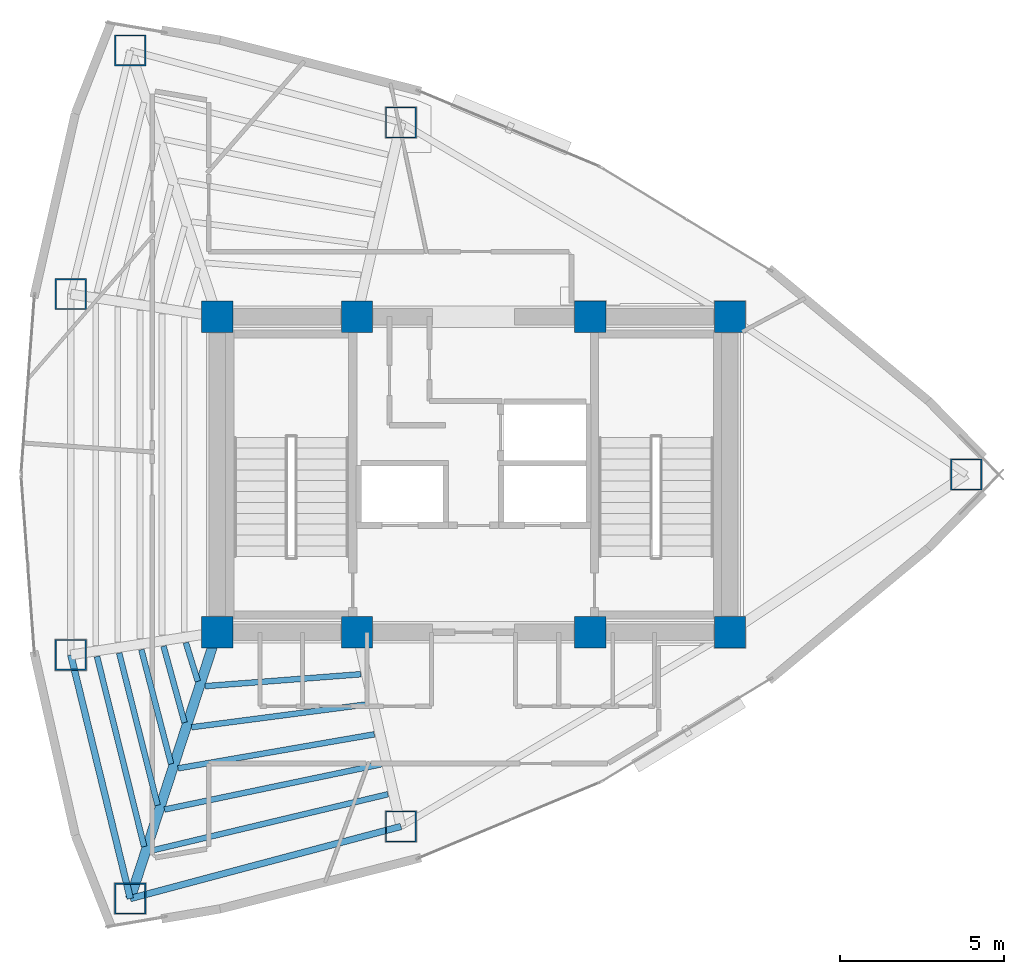
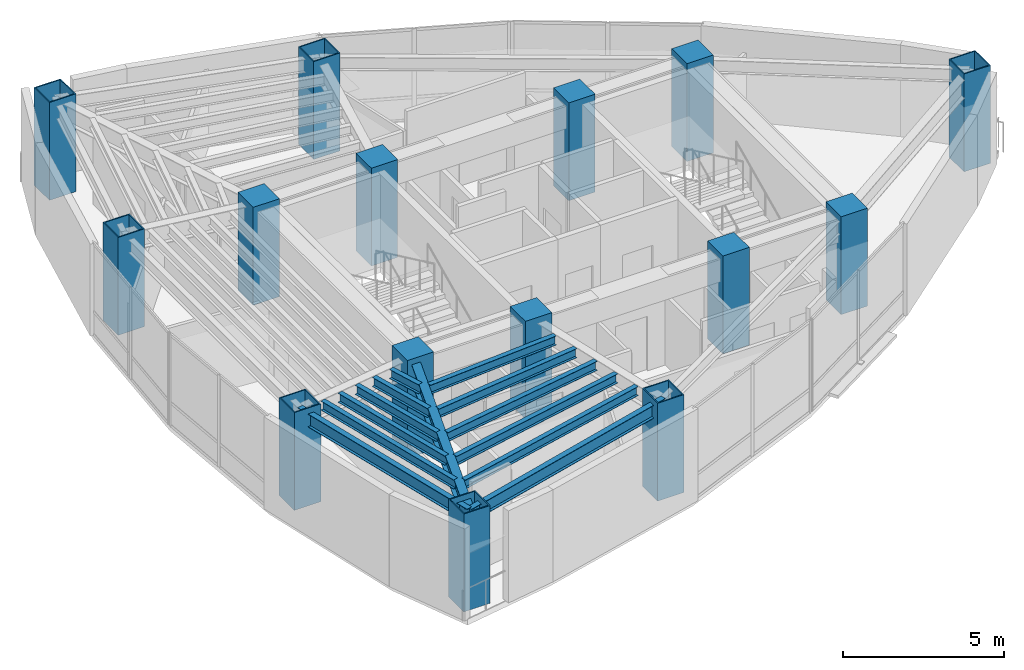
# One storey, part 1 of 15: 15 columns, 13 beams.
"""IFC4 building model written with IfcOpenShell, lengths in metres."""

from ifc_helpers import new_model, si_unit, direction, frame, origin, origin_2d, place, context, subcontext, project, spatial, rectangle, hollow_rectangle, i_section, extrude, material, material_profile, profile_set, type_object, element, save


model = new_model("IFC4")

# Units and contexts
model_context = context("Model", 3, precision=1e-05, world=origin(), true_north=direction((0.0, 1.0)))
body_context = subcontext(model_context, "Body", "Model", "MODEL_VIEW")
ifc_project = project(units=[si_unit("LENGTHUNIT", "METRE"), si_unit("AREAUNIT", "SQUARE_METRE"), si_unit("VOLUMEUNIT", "CUBIC_METRE"), si_unit("PLANEANGLEUNIT", "RADIAN"), si_unit("MASSUNIT", "GRAM", prefix="KILO")], contexts=[model_context])

# Site, building, storey
site_placement = place(None, origin())
site = spatial("IfcSite", under=ifc_project, at=site_placement, CompositionType="ELEMENT")
building_placement = place(site_placement, origin())
building = spatial("IfcBuilding", under=site, at=building_placement, Name="Menara Vayukalpa", CompositionType="ELEMENT")
storey_placement = place(building_placement, frame((0.0, 0.0, 223.260009765625)))
storey = spatial("IfcBuildingStorey", under=building, at=storey_placement, Name="L56", CompositionType="ELEMENT", Elevation=223.260009765625)

# Columns
ifc_material_1 = material(Name="Concrete C60/75", Category="concrete")
ifc_material_profile_1 = material_profile(ifc_material_1, rectangle(XDim=0.949951171875, YDim=0.949951171875, at=origin_2d()), Name="RC 950x950")
ifc_profile_set_1 = profile_set([ifc_material_profile_1], Name="Concrete C60/75")
column_type_1 = type_object("IfcColumnType", Name="COL-CC2", PredefinedType="COLUMN", material=ifc_profile_set_1)
for number, where, z_axis, x_axis, name in (
    (1, (17.800048828125, 17.199951171875, 0.0), (0.0, 0.0, 1.0), (1.0, 0.0, 0.0), "L56 Core Pilaster Column CC1"),
    (2, (22.050048828125, 17.199951171875, 0.0), (0.0, 0.0, 1.0), (1.0, 0.0, 0.0), "L56 Core Pilaster Column CC2"),
    (3, (29.14990234375, 17.199951171875, 0.0), (0.0, 0.0, 1.0), (1.0, 0.0, 0.0), "L56 Core Pilaster Column CC3"),
    (4, (33.39990234375, 17.199951171875, 0.0), (0.0, 0.0, 1.0), (1.0, 0.0, 0.0), "L56 Core Pilaster Column CC4"),
    (5, (17.800048828125, 26.800048828125, 0.0), (0.0, 0.0, 1.0), (1.0, 0.0, 0.0), "L56 Core Pilaster Column CC5"),
    (6, (22.050048828125, 26.800048828125, 0.0), (0.0, 0.0, 1.0), (1.0, 0.0, 0.0), "L56 Core Pilaster Column CC6"),
    (7, (29.14990234375, 26.800048828125, 0.0), (0.0, 0.0, 1.0), (1.0, 0.0, 0.0), "L56 Core Pilaster Column CC7"),
    (8, (33.39990234375, 26.800048828125, 0.0), (0.0, 0.0, 1.0), (1.0, 0.0, 0.0), "L56 Core Pilaster Column CC8"),
):
    element("IfcColumn", number, at=place(storey_placement, frame(where, z_axis=z_axis, x_axis=x_axis)), inside=storey, type_object=column_type_1, Name=name, PredefinedType="COLUMN", context=body_context, shape_type="SweptSolid", body=[
        extrude(rectangle(XDim=0.949951171875, YDim=0.949951171875, at=origin_2d()), origin(), (0.0, 0.0, 1.0), 3.719970703125),
    ])
ifc_material_2 = material(Name="Steel S460", Category="steel")
ifc_material_profile_2 = material_profile(ifc_material_2, hollow_rectangle(XDim=0.949951171875, YDim=0.949951171875, WallThickness=0.0400390625, at=origin_2d()), Name="BOX 950x950x40")
ifc_profile_set_2 = profile_set([ifc_material_profile_2], Name="Steel S460")
column_type_2 = type_object("IfcColumnType", Name="COL-MC4", PredefinedType="COLUMN", material=ifc_profile_set_2)
for number, where, z_axis, x_axis, name in (
    (9, (40.590576171875, 22.0, 0.0), (0.0, 0.0, 1.0), (1.0, 0.0, 0.0), "L56 Perimeter Mega Column P01"),
    (10, (23.389404296875, 32.70849609375, 0.0), (0.0, 0.0, 1.0), (1.0, 0.0, 0.0), "L56 Perimeter Mega Column P03"),
    (11, (15.15478515625, 34.902587890625, 0.0), (0.0, 0.0, 1.0), (1.0, 0.0, 0.0), "L56 Perimeter Mega Column P04"),
    (12, (13.343994140625, 27.4892578125, 0.0), (0.0, 0.0, 1.0), (1.0, 0.0, 0.0), "L56 Perimeter Mega Column P05"),
    (13, (13.343994140625, 16.5107421875, 0.0), (0.0, 0.0, 1.0), (1.0, 0.0, 0.0), "L56 Perimeter Mega Column P06"),
    (14, (15.15478515625, 9.097412109375, 0.0), (0.0, 0.0, 1.0), (1.0, 0.0, 0.0), "L56 Perimeter Mega Column P07"),
    (15, (23.389404296875, 11.29150390625, 0.0), (0.0, 0.0, 1.0), (1.0, 0.0, 0.0), "L56 Perimeter Mega Column P08"),
):
    element("IfcColumn", number, at=place(storey_placement, frame(where, z_axis=z_axis, x_axis=x_axis)), inside=storey, type_object=column_type_2, Name=name, PredefinedType="COLUMN", context=body_context, shape_type="SweptSolid", body=[
        extrude(hollow_rectangle(XDim=0.949951171875, YDim=0.949951171875, WallThickness=0.0400390625, at=origin_2d()), origin(), (0.0, 0.0, 1.0), 3.719970703125),
    ])

# Beams
ifc_material_3 = material(Name="Steel S355", Category="steel")
ifc_material_profile_3 = material_profile(ifc_material_3, i_section(OverallWidth=0.300048828125, OverallDepth=0.699951171875, WebThickness=0.012939453125, FlangeThickness=0.02392578125, at=origin_2d()), Name="WF 700x300x13x24")
ifc_profile_set_3 = profile_set([ifc_material_profile_3], Name="Steel S355")
beam_type_1 = type_object("IfcBeamType", Name="BM-PG5", PredefinedType="BEAM", material=ifc_profile_set_3)
beam_1_placement = place(storey_placement, frame((17.722412109375, 16.96240234375, 3.14990234375), z_axis=(-0.310343552153, -0.950624468251, 0.0), x_axis=(0.950624468251, -0.310343552153, 0.0)))
element("IfcBeam", 16, at=beam_1_placement, inside=storey, type_object=beam_type_1, Name="L56 Primary Radial Girder RG07", PredefinedType="BEAM", context=body_context, shape_type="SweptSolid", body=[
    extrude(i_section(OverallWidth=0.300048828125, OverallDepth=0.699951171875, WebThickness=0.012939453125, FlangeThickness=0.02392578125, at=origin_2d()), origin(), (0.0, 0.0, 1.0), 8.2734375),
])
ifc_material_4 = material(Name="Steel S355", Category="steel")
ifc_material_profile_4 = material_profile(ifc_material_4, i_section(OverallWidth=0.175048828125, OverallDepth=0.35009765625, WebThickness=0.007080078125, FlangeThickness=0.010986328125, at=origin_2d()), Name="WF 350x175x7x11")
ifc_profile_set_4 = profile_set([ifc_material_profile_4], Name="Steel S355")
beam_type_2 = type_object("IfcBeamType", Name="BM-SJ3", PredefinedType="JOIST", material=ifc_profile_set_4)
beam_2_placement = place(storey_placement, frame((16.845703125, 16.88232421875, 3.324951171875), z_axis=(0.296305452853, -0.955093230323, 0.0), x_axis=(0.955093230323, 0.296305452853, 0.0)))
element("IfcBeam", 17, at=beam_2_placement, inside=storey, type_object=beam_type_2, Name="L56 Secondary Floor Joist SJ06-1", PredefinedType="JOIST", context=body_context, shape_type="SweptSolid", body=[
    extrude(i_section(OverallWidth=0.175048828125, OverallDepth=0.35009765625, WebThickness=0.007080078125, FlangeThickness=0.010986328125, at=origin_2d()), origin(), (0.0, 0.0, 1.0), 1.228515625),
])
beam_3_placement = place(storey_placement, frame((16.166748046875, 16.776611328125, 3.324951171875), z_axis=(0.264565534661, -0.964367708848, 0.0), x_axis=(0.964367708848, 0.264565534661, 0.0)))
element("IfcBeam", 18, at=beam_3_placement, inside=storey, type_object=beam_type_2, Name="L56 Secondary Floor Joist SJ06-2", PredefinedType="JOIST", context=body_context, shape_type="SweptSolid", body=[
    extrude(i_section(OverallWidth=0.175048828125, OverallDepth=0.35009765625, WebThickness=0.007080078125, FlangeThickness=0.010986328125, at=origin_2d()), origin(), (0.0, 0.0, 1.0), 2.410400390625),
])
beam_4_placement = place(storey_placement, frame((15.4912109375, 16.671875, 3.324951171875), z_axis=(0.251733131911, -0.967796688514, 0.0), x_axis=(0.967796688514, 0.251733131911, 0.0)))
element("IfcBeam", 19, at=beam_4_placement, inside=storey, type_object=beam_type_2, Name="L56 Secondary Floor Joist SJ06-3", PredefinedType="JOIST", context=body_context, shape_type="SweptSolid", body=[
    extrude(i_section(OverallWidth=0.175048828125, OverallDepth=0.35009765625, WebThickness=0.007080078125, FlangeThickness=0.010986328125, at=origin_2d()), origin(), (0.0, 0.0, 1.0), 3.59326171875),
])
beam_5_placement = place(storey_placement, frame((14.816650390625, 16.5673828125, 3.324951171875), z_axis=(0.24483203065, -0.969565509271, 0.0), x_axis=(0.969565509271, 0.24483203065, 0.0)))
element("IfcBeam", 20, at=beam_5_placement, inside=storey, type_object=beam_type_2, Name="L56 Secondary Floor Joist SJ06-4", PredefinedType="JOIST", context=body_context, shape_type="SweptSolid", body=[
    extrude(i_section(OverallWidth=0.175048828125, OverallDepth=0.35009765625, WebThickness=0.007080078125, FlangeThickness=0.010986328125, at=origin_2d()), origin(), (0.0, 0.0, 1.0), 4.7763671875),
])
beam_6_placement = place(storey_placement, frame((14.142578125, 16.462890625, 3.324951171875), z_axis=(0.240539929987, -0.970639244046, 0.0), x_axis=(0.970639244046, 0.240539929987, 0.0)))
element("IfcBeam", 21, at=beam_6_placement, inside=storey, type_object=beam_type_2, Name="L56 Secondary Floor Joist SJ06-5", PredefinedType="JOIST", context=body_context, shape_type="SweptSolid", body=[
    extrude(i_section(OverallWidth=0.175048828125, OverallDepth=0.35009765625, WebThickness=0.007080078125, FlangeThickness=0.010986328125, at=origin_2d()), origin(), (0.0, 0.0, 1.0), 5.9599609375),
])
beam_7_placement = place(storey_placement, frame((17.4296875, 15.5595703125, 3.324951171875), z_axis=(0.997060829559, 0.076613981492, 0.0), x_axis=(-0.076613981492, 0.997060829559, 0.0)))
element("IfcBeam", 22, at=beam_7_placement, inside=storey, type_object=beam_type_2, Name="L56 Secondary Floor Joist SJ07-1", PredefinedType="JOIST", context=body_context, shape_type="SweptSolid", body=[
    extrude(i_section(OverallWidth=0.175048828125, OverallDepth=0.35009765625, WebThickness=0.007080078125, FlangeThickness=0.010986328125, at=origin_2d()), origin(), (0.0, 0.0, 1.0), 4.751220703125),
])
beam_8_placement = place(storey_placement, frame((17.01806640625, 14.310302734375, 3.324951171875), z_axis=(0.991612506825, 0.129246417005, 0.0), x_axis=(-0.129246417005, 0.991612506825, 0.0)))
element("IfcBeam", 23, at=beam_8_placement, inside=storey, type_object=beam_type_2, Name="L56 Secondary Floor Joist SJ07-2", PredefinedType="JOIST", context=body_context, shape_type="SweptSolid", body=[
    extrude(i_section(OverallWidth=0.175048828125, OverallDepth=0.35009765625, WebThickness=0.007080078125, FlangeThickness=0.010986328125, at=origin_2d()), origin(), (0.0, 0.0, 1.0), 5.400634765625),
])
beam_9_placement = place(storey_placement, frame((16.606201171875, 13.058837890625, 3.324951171875), z_axis=(0.985288498293, 0.170899312848, 0.0), x_axis=(-0.170899312848, 0.985288498293, 0.0)))
element("IfcBeam", 24, at=beam_9_placement, inside=storey, type_object=beam_type_2, Name="L56 Secondary Floor Joist SJ07-3", PredefinedType="JOIST", context=body_context, shape_type="SweptSolid", body=[
    extrude(i_section(OverallWidth=0.175048828125, OverallDepth=0.35009765625, WebThickness=0.007080078125, FlangeThickness=0.010986328125, at=origin_2d()), origin(), (0.0, 0.0, 1.0), 6.062744140625),
])
beam_10_placement = place(storey_placement, frame((16.194091796875, 11.80615234375, 3.324951171875), z_axis=(0.978881984699, 0.204426172569, 0.0), x_axis=(-0.204426172569, 0.978881984699, 0.0)))
element("IfcBeam", 25, at=beam_10_placement, inside=storey, type_object=beam_type_2, Name="L56 Secondary Floor Joist SJ07-4", PredefinedType="JOIST", context=body_context, shape_type="SweptSolid", body=[
    extrude(i_section(OverallWidth=0.175048828125, OverallDepth=0.35009765625, WebThickness=0.007080078125, FlangeThickness=0.010986328125, at=origin_2d()), origin(), (0.0, 0.0, 1.0), 6.734619140625),
])
beam_11_placement = place(storey_placement, frame((15.7822265625, 10.552490234375, 3.324951171875), z_axis=(0.972733016713, 0.23192774348, 0.0), x_axis=(-0.23192774348, 0.972733016713, 0.0)))
element("IfcBeam", 26, at=beam_11_placement, inside=storey, type_object=beam_type_2, Name="L56 Secondary Floor Joist SJ07-5", PredefinedType="JOIST", context=body_context, shape_type="SweptSolid", body=[
    extrude(i_section(OverallWidth=0.175048828125, OverallDepth=0.35009765625, WebThickness=0.007080078125, FlangeThickness=0.010986328125, at=origin_2d()), origin(), (0.0, 0.0, 1.0), 7.412841796875),
])
ifc_material_5 = material(Name="Steel S355", Category="steel")
ifc_material_profile_5 = material_profile(ifc_material_5, i_section(OverallWidth=0.199951171875, OverallDepth=0.5, WebThickness=0.010009765625, FlangeThickness=0.01611328125, at=origin_2d()), Name="WF 500x200x10x16")
ifc_profile_set_5 = profile_set([ifc_material_profile_5], Name="Steel S355")
beam_type_3 = type_object("IfcBeamType", Name="BM-SP3", PredefinedType="SPANDREL", material=ifc_profile_set_5)
beam_12_placement = place(storey_placement, frame((13.343994140625, 16.5107421875, 3.25), z_axis=(0.237285374413, -0.971439988414, 0.0), x_axis=(0.971439988414, 0.237285374413, 0.0)))
element("IfcBeam", 27, at=beam_12_placement, inside=storey, type_object=beam_type_3, Name="L56 Perimeter Spandrel Beam SP06", PredefinedType="SPANDREL", context=body_context, shape_type="SweptSolid", body=[
    extrude(i_section(OverallWidth=0.199951171875, OverallDepth=0.5, WebThickness=0.010009765625, FlangeThickness=0.01611328125, at=origin_2d()), origin(), (0.0, 0.0, 1.0), 7.63134765625),
])
beam_13_placement = place(storey_placement, frame((15.15478515625, 9.097412109375, 3.25), z_axis=(0.966287699272, 0.25746472037, 0.0), x_axis=(-0.25746472037, 0.966287699272, 0.0)))
element("IfcBeam", 28, at=beam_13_placement, inside=storey, type_object=beam_type_3, Name="L56 Perimeter Spandrel Beam SP07", PredefinedType="SPANDREL", context=body_context, shape_type="SweptSolid", body=[
    extrude(i_section(OverallWidth=0.199951171875, OverallDepth=0.5, WebThickness=0.010009765625, FlangeThickness=0.01611328125, at=origin_2d()), origin(), (0.0, 0.0, 1.0), 8.52197265625),
])

save(model, "model.ifc")
